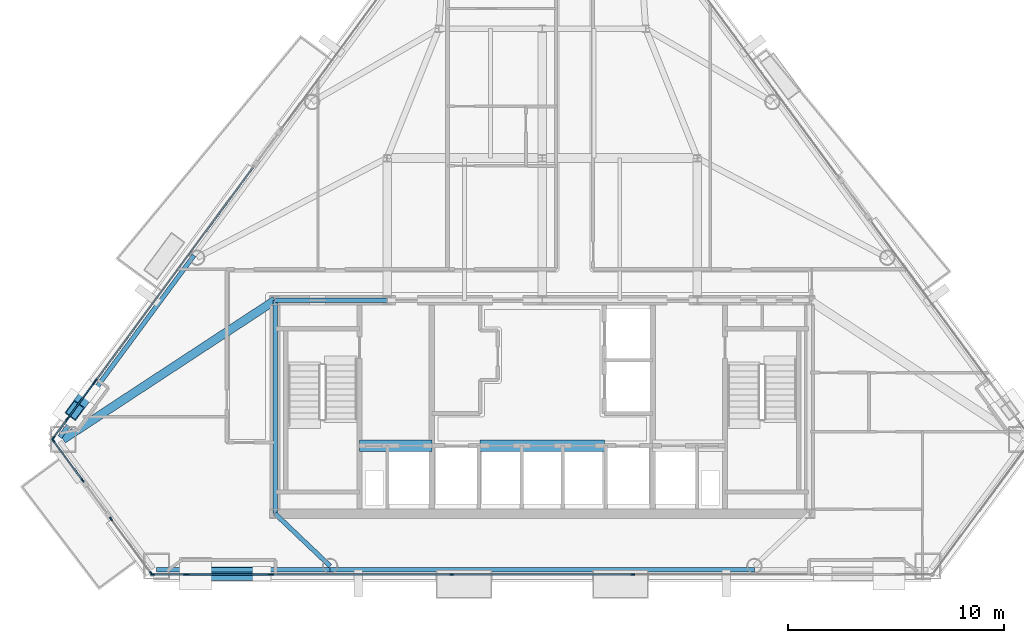
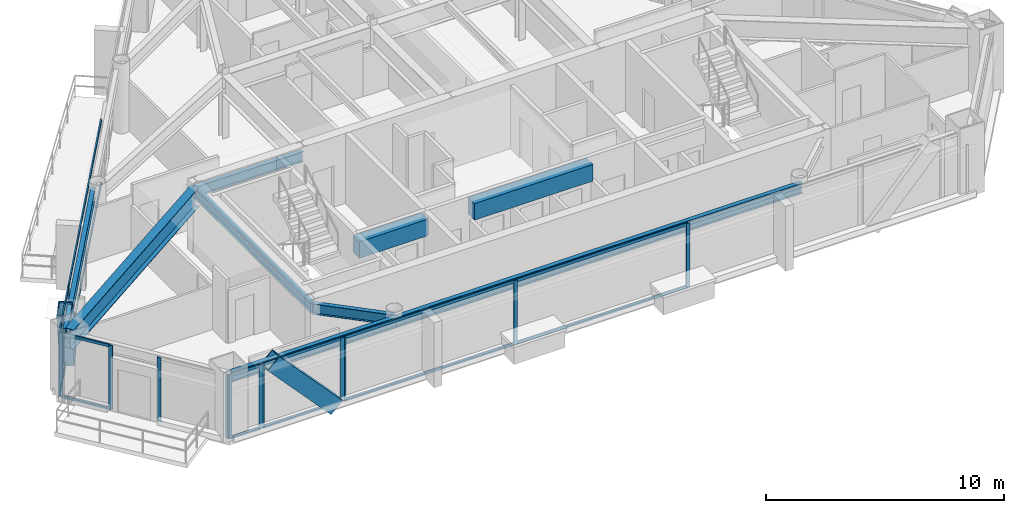
# One storey, part 3 of 12: 34 members, 9 beams, 8 elements without a shape of their own.
"""IFC4 building model written with IfcOpenShell, lengths in metres."""

from ifc_helpers import new_model, si_unit, direction, frame, origin, origin_2d, place, context, subcontext, project, spatial, rectangle, hollow_rectangle, i_section, extrude, material, layer, layer_set, material_profile, profile_set, type_object, element, aggregate, save


model = new_model("IFC4")

# Units and contexts
model_context = context("Model", 3, precision=1e-05, world=origin(), true_north=direction((0.0, 1.0)))
body_context = subcontext(model_context, "Body", "Model", "MODEL_VIEW")
ifc_project = project(units=[si_unit("LENGTHUNIT", "METRE"), si_unit("AREAUNIT", "SQUARE_METRE"), si_unit("VOLUMEUNIT", "CUBIC_METRE"), si_unit("PLANEANGLEUNIT", "RADIAN"), si_unit("MASSUNIT", "GRAM", prefix="KILO")], contexts=[model_context])

# Site, building, storey
site_placement = place(None, origin())
site = spatial("IfcSite", under=ifc_project, at=site_placement, CompositionType="ELEMENT")
building_placement = place(site_placement, origin())
building = spatial("IfcBuilding", under=site, at=building_placement, Name="Talgorran Terracotta Tower", CompositionType="ELEMENT")
storey_placement = place(building_placement, frame((0.0, 0.0, 165.300048828125)))
storey = spatial("IfcBuildingStorey", under=building, at=storey_placement, Name="L43", CompositionType="ELEMENT", Elevation=165.300048828125)

# Beams
ifc_material_1 = material(Name="Steel Grade 350 (350L0)", Category="steel")
ifc_material_profile_1 = material_profile(ifc_material_1, i_section(OverallWidth=0.39990234375, OverallDepth=1.0, WebThickness=0.01611328125, FlangeThickness=0.031005859375, at=origin_2d()), Name="1000WB296")
ifc_profile_set_1 = profile_set([ifc_material_profile_1], Name="Steel Grade 350 (350L0)")
beam_type_1 = type_object("IfcBeamType", Name="BM_1000WB296", PredefinedType="BEAM", material=ifc_profile_set_1)
beam_1_placement = place(storey_placement, frame((-12.39990234375, -4.199951171875, 2.780029296875), z_axis=(-0.836013696093, -0.548708574696, 0.0), x_axis=(0.548708574696, -0.836013696093, 0.0)))
element("IfcBeam", 1, at=beam_1_placement, inside=storey, type_object=beam_type_1, Name="L43 Floor Girder G17", PredefinedType="BEAM", context=body_context, shape_type="SweptSolid", body=[
    extrude(i_section(OverallWidth=0.39990234375, OverallDepth=1.0, WebThickness=0.01611328125, FlangeThickness=0.031005859375, at=origin_2d()), origin(), (0.0, 0.0, 1.0), 11.76318359375),
])
ifc_material_2 = material(Name="Concrete C50/60", Category="concrete")
ifc_material_profile_2 = material_profile(ifc_material_2, rectangle(XDim=0.550048828125, YDim=0.85009765625, at=origin_2d()), Name="RCCB550X850")
ifc_profile_set_2 = profile_set([ifc_material_profile_2], Name="Concrete C50/60")
beam_type_2 = type_object("IfcBeamType", Name="BM_CB_550X850", PredefinedType="LINTEL", material=ifc_profile_set_2)
beam_2_placement = place(storey_placement, frame((-8.47998046875, -10.949951171875, 2.85498046875), z_axis=(1.0, 0.0, 0.0), x_axis=(0.0, 1.0, 0.0)))
element("IfcBeam", 2, at=beam_2_placement, inside=storey, type_object=beam_type_2, Name="L43 Core Shear-Wall Coupling Beam CB1", PredefinedType="LINTEL", context=body_context, shape_type="SweptSolid", body=[
    extrude(rectangle(XDim=0.550048828125, YDim=0.85009765625, at=origin_2d()), origin(), (0.0, 0.0, 1.0), 3.35986328125),
])
beam_3_placement = place(storey_placement, frame((-2.8798828125, -10.949951171875, 2.85498046875), z_axis=(1.0, 0.0, 0.0), x_axis=(0.0, 1.0, 0.0)))
element("IfcBeam", 3, at=beam_3_placement, inside=storey, type_object=beam_type_2, Name="L43 Core Shear-Wall Coupling Beam CB2", PredefinedType="LINTEL", context=body_context, shape_type="SweptSolid", body=[
    extrude(rectangle(XDim=0.550048828125, YDim=0.85009765625, at=origin_2d()), origin(), (0.0, 0.0, 1.0), 5.759765625),
])
ifc_material_3 = material(Name="Steel S355 (300PLUS)", Category="steel")
ifc_material_profile_3 = material_profile(ifc_material_3, i_section(OverallWidth=0.209228515625, OverallDepth=0.532958984375, WebThickness=0.01025390625, FlangeThickness=0.015625, at=origin_2d()), Name="530UB92.4")
ifc_profile_set_3 = profile_set([ifc_material_profile_3], Name="Steel S355 (300PLUS)")
beam_type_3 = type_object("IfcBeamType", Name="BM_SP_530UB92", PredefinedType="SPANDREL", material=ifc_profile_set_3)
beam_4_placement = place(storey_placement, frame((-17.898193359375, -16.7099609375, 3.013427734375), z_axis=(1.0, 0.0, 0.0), x_axis=(0.0, 1.0, 0.0)))
element("IfcBeam", 4, at=beam_4_placement, inside=storey, type_object=beam_type_3, Name="L43 Perimeter Spandrel Beam MC2-FC1", PredefinedType="SPANDREL", context=body_context, shape_type="SweptSolid", body=[
    extrude(i_section(OverallWidth=0.209228515625, OverallDepth=0.532958984375, WebThickness=0.01025390625, FlangeThickness=0.015625, at=origin_2d()), origin(), (0.0, 0.0, 1.0), 8.05419921875),
])
beam_5_placement = place(storey_placement, frame((-9.843994140625, -16.7099609375, 3.013427734375), z_axis=(1.0, 0.0, 0.0), x_axis=(0.0, 1.0, 0.0)))
element("IfcBeam", 5, at=beam_5_placement, inside=storey, type_object=beam_type_3, Name="L43 Perimeter Spandrel Beam FC1-FC2", PredefinedType="SPANDREL", context=body_context, shape_type="SweptSolid", body=[
    extrude(i_section(OverallWidth=0.209228515625, OverallDepth=0.532958984375, WebThickness=0.01025390625, FlangeThickness=0.015625, at=origin_2d()), origin(), (0.0, 0.0, 1.0), 19.68798828125),
])
beam_6_placement = place(storey_placement, frame((-16.156982421875, -2.116455078125, 3.013427734375), z_axis=(-0.593786218479, -0.804622847516, 0.0), x_axis=(0.804622847516, -0.593786218479, 0.0)))
element("IfcBeam", 6, at=beam_6_placement, inside=storey, type_object=beam_type_3, Name="L43 Perimeter Spandrel Beam FC6-MC1", PredefinedType="SPANDREL", context=body_context, shape_type="SweptSolid", body=[
    extrude(i_section(OverallWidth=0.209228515625, OverallDepth=0.532958984375, WebThickness=0.01025390625, FlangeThickness=0.015625, at=origin_2d()), origin(), (0.0, 0.0, 1.0), 10.478271484375),
])
beam_7_placement = place(storey_placement, frame((-9.843994140625, -16.530029296875, 3.013427734375), z_axis=(-0.724741849636, 0.689020501426, 0.0), x_axis=(-0.689020501426, -0.724741849636, 0.0)))
element("IfcBeam", 7, at=beam_7_placement, inside=storey, type_object=beam_type_3, Name="L43 South-West Core Tie Beam", PredefinedType="SPANDREL", context=body_context, shape_type="SweptSolid", body=[
    extrude(i_section(OverallWidth=0.209228515625, OverallDepth=0.532958984375, WebThickness=0.01025390625, FlangeThickness=0.015625, at=origin_2d()), origin(), (0.0, 0.0, 1.0), 3.526611328125),
])
beam_8_placement = place(storey_placement, frame((-12.39990234375, -14.10009765625, 3.013427734375), z_axis=(0.0, 1.0, 0.0), x_axis=(-1.0, 0.0, 0.0)))
element("IfcBeam", 8, at=beam_8_placement, inside=storey, type_object=beam_type_3, Name="L43 Core Frame Beam CFW", PredefinedType="SPANDREL", context=body_context, shape_type="SweptSolid", body=[
    extrude(i_section(OverallWidth=0.209228515625, OverallDepth=0.532958984375, WebThickness=0.01025390625, FlangeThickness=0.015625, at=origin_2d()), origin(), (0.0, 0.0, 1.0), 9.900146484375),
])
beam_9_placement = place(storey_placement, frame((-12.39990234375, -4.199951171875, 3.013427734375), z_axis=(1.0, 0.0, 0.0), x_axis=(0.0, 1.0, 0.0)))
element("IfcBeam", 9, at=beam_9_placement, inside=storey, type_object=beam_type_3, Name="L43 Core Frame Beam CFN1", PredefinedType="SPANDREL", context=body_context, shape_type="SweptSolid", body=[
    extrude(i_section(OverallWidth=0.209228515625, OverallDepth=0.532958984375, WebThickness=0.01025390625, FlangeThickness=0.015625, at=origin_2d()), origin(), (0.0, 0.0, 1.0), 5.199951171875),
])

# Members
ifc_material_profile_4 = material_profile(ifc_material_1, hollow_rectangle(XDim=0.6201171875, YDim=0.780029296875, WallThickness=0.0419921875, at=origin_2d()), Name="WBOX780X620X42")
ifc_profile_set_4 = profile_set([ifc_material_profile_4], Name="Steel Grade 350 (350L0)")
member_type_1 = type_object("IfcMemberType", Name="MB_MEGA_780", PredefinedType="BRACE", material=ifc_profile_set_4)
member_1_placement = place(storey_placement, frame((-13.017578125, -16.889892578125, -0.025146484375), z_axis=(-0.678257727161, 0.0, 0.73482409837), x_axis=(0.0, -1.0, 0.0)))
element("IfcMember", 10, at=member_1_placement, inside=storey, type_object=member_type_1, Name="L43 Exterior Face Mega-Brace MB-2 (SWF)", PredefinedType="BRACE", context=body_context, shape_type="SweptSolid", body=[
    extrude(hollow_rectangle(XDim=0.6201171875, YDim=0.780029296875, WallThickness=0.0419921875, at=origin_2d()), origin(), (0.0, 0.0, 1.0), 4.53173828125),
])
member_2_placement = place(storey_placement, frame((-21.021484375, -8.4052734375, -0.025146484375), z_axis=(-0.1899778131, -0.257355684657, 0.947457905189), x_axis=(0.804537023237, -0.593902498935, 0.0)))
element("IfcMember", 11, at=member_2_placement, inside=storey, type_object=member_type_1, Name="L43 Exterior Face Mega-Brace MB-2 (NWL)", PredefinedType="BRACE", context=body_context, shape_type="SweptSolid", body=[
    extrude(hollow_rectangle(XDim=0.6201171875, YDim=0.780029296875, WallThickness=0.0419921875, at=origin_2d()), origin(), (0.0, 0.0, 1.0), 3.5146484375),
])

# Curtain wall, members
ifc_material_4 = material(Name="Unitised Low-E Double Glazing", Category="glass")
ifc_layer = layer(ifc_material_4, 0.199951171875, Name="CW_SYS2_RES_LOW")
ifc_layer_set = layer_set([ifc_layer], Name="Unitised Low-E Double Glazing")
curtain_wall_type = type_object("IfcCurtainWallType", Name="CW_SYS2_RES_LOW", PredefinedType="NOTDEFINED", material=ifc_layer_set)
curtain_wall_1_placement = place(storey_placement, origin())
curtain_wall_1 = element("IfcCurtainWall", 12, at=curtain_wall_1_placement, inside=storey, type_object=curtain_wall_type, Name="CW-L43-F10", PredefinedType="NOTDEFINED")
ifc_material_5 = material(Name="Architectural Aluminium 6063-T6", Category="aluminium")
ifc_material_profile_5 = material_profile(ifc_material_5, rectangle(XDim=0.06494140625, YDim=0.18505859375, at=origin_2d()), Name="CWM65X185")
ifc_profile_set_5 = profile_set([ifc_material_profile_5], Name="Architectural Aluminium 6063-T6")
member_type_2 = type_object("IfcMemberType", Name="MUL_65X185", PredefinedType="MULLION", material=ifc_profile_set_5)
member_3_placement = place(storey_placement, frame((-22.688232421875, -10.712890625, 0.0), z_axis=(0.0, 0.0, 1.0), x_axis=(0.804619011148, 0.593791416997, 0.0)))
member_3 = element("IfcMember", 13, at=member_3_placement, type_object=member_type_2, Name="CW-L43-10 mullion 1", PredefinedType="MULLION", context=body_context, shape_type="SweptSolid", body=[
    extrude(rectangle(XDim=0.06494140625, YDim=0.18505859375, at=origin_2d()), origin(), (0.0, 0.0, 1.0), 3.280029296875),
])
member_4_placement = place(storey_placement, frame((-21.32861328125, -12.55517578125, 0.0), z_axis=(0.0, 0.0, 1.0), x_axis=(0.804619011148, 0.593791416997, 0.0)))
member_4 = element("IfcMember", 14, at=member_4_placement, type_object=member_type_2, Name="CW-L43-10 mullion 2", PredefinedType="MULLION", context=body_context, shape_type="SweptSolid", body=[
    extrude(rectangle(XDim=0.06494140625, YDim=0.18505859375, at=origin_2d()), origin(), (0.0, 0.0, 1.0), 3.280029296875),
])

curtain_wall_2_placement = place(storey_placement, origin())
curtain_wall_2 = element("IfcCurtainWall", 15, at=curtain_wall_2_placement, inside=storey, type_object=curtain_wall_type, Name="CW-L43-F11", PredefinedType="NOTDEFINED")
member_5_placement = place(storey_placement, frame((-20.007568359375, -14.345458984375, 0.0), z_axis=(0.0, 0.0, 1.0), x_axis=(0.804630520455, 0.593775820957, 0.0)))
member_5 = element("IfcMember", 16, at=member_5_placement, type_object=member_type_2, Name="CW-L43-11 mullion 1", PredefinedType="MULLION", context=body_context, shape_type="SweptSolid", body=[
    extrude(rectangle(XDim=0.06494140625, YDim=0.18505859375, at=origin_2d()), origin(), (0.0, 0.0, 1.0), 3.280029296875),
])
member_6_placement = place(storey_placement, frame((-18.143310546875, -16.87158203125, 0.0), z_axis=(0.0, 0.0, 1.0), x_axis=(0.804630520455, 0.593775820957, 0.0)))
member_6 = element("IfcMember", 17, at=member_6_placement, type_object=member_type_2, Name="CW-L43-11 mullion 2", PredefinedType="MULLION", context=body_context, shape_type="SweptSolid", body=[
    extrude(rectangle(XDim=0.06494140625, YDim=0.18505859375, at=origin_2d()), origin(), (0.0, 0.0, 1.0), 3.280029296875),
])
aggregate(curtain_wall_2, [member_5, member_6])

curtain_wall_3_placement = place(storey_placement, origin())
curtain_wall_3 = element("IfcCurtainWall", 18, at=curtain_wall_3_placement, inside=storey, type_object=curtain_wall_type, Name="CW-L43-F1", PredefinedType="NOTDEFINED")
member_7_placement = place(storey_placement, frame((-18.067626953125, -16.929931640625, 0.0), z_axis=(0.0, 0.0, 1.0), x_axis=(0.0, 1.0, 0.0)))
member_7 = element("IfcMember", 19, at=member_7_placement, type_object=member_type_2, Name="CW-L43-1 mullion 1", PredefinedType="MULLION", context=body_context, shape_type="SweptSolid", body=[
    extrude(rectangle(XDim=0.06494140625, YDim=0.18505859375, at=origin_2d()), origin(), (0.0, 0.0, 1.0), 3.280029296875),
])
member_8_placement = place(storey_placement, frame((-16.565185546875, -16.929931640625, 0.0), z_axis=(0.0, 0.0, 1.0), x_axis=(0.0, 1.0, 0.0)))
member_8 = element("IfcMember", 20, at=member_8_placement, type_object=member_type_2, Name="CW-L43-1 mullion 2", PredefinedType="MULLION", context=body_context, shape_type="SweptSolid", body=[
    extrude(rectangle(XDim=0.06494140625, YDim=0.18505859375, at=origin_2d()), origin(), (0.0, 0.0, 1.0), 3.280029296875),
])

curtain_wall_4_placement = place(storey_placement, origin())
curtain_wall_4 = element("IfcCurtainWall", 21, at=curtain_wall_4_placement, inside=storey, type_object=curtain_wall_type, Name="CW-L43-F1B", PredefinedType="NOTDEFINED")
member_9_placement = place(storey_placement, frame((-16.490234375, -16.929931640625, 0.0), z_axis=(0.0, 0.0, 1.0), x_axis=(0.0, 1.0, 0.0)))
member_9 = element("IfcMember", 22, at=member_9_placement, type_object=member_type_2, Name="CW-L43-1B mullion 1", PredefinedType="MULLION", context=body_context, shape_type="SweptSolid", body=[
    extrude(rectangle(XDim=0.06494140625, YDim=0.18505859375, at=origin_2d()), origin(), (0.0, 0.0, 1.0), 3.280029296875),
])
member_10_placement = place(storey_placement, frame((-12.618408203125, -16.929931640625, 0.0), z_axis=(0.0, 0.0, 1.0), x_axis=(0.0, 1.0, 0.0)))
member_10 = element("IfcMember", 23, at=member_10_placement, type_object=member_type_2, Name="CW-L43-1B mullion 2", PredefinedType="MULLION", context=body_context, shape_type="SweptSolid", body=[
    extrude(rectangle(XDim=0.06494140625, YDim=0.18505859375, at=origin_2d()), origin(), (0.0, 0.0, 1.0), 3.280029296875),
])

curtain_wall_5_placement = place(storey_placement, origin())
curtain_wall_5 = element("IfcCurtainWall", 24, at=curtain_wall_5_placement, inside=storey, type_object=curtain_wall_type, Name="CW-L43-F1C", PredefinedType="NOTDEFINED")
member_11_placement = place(storey_placement, frame((-12.54345703125, -16.929931640625, 0.0), z_axis=(0.0, 0.0, 1.0), x_axis=(0.0, 1.0, 0.0)))
member_11 = element("IfcMember", 25, at=member_11_placement, type_object=member_type_2, Name="CW-L43-1C mullion 1", PredefinedType="MULLION", context=body_context, shape_type="SweptSolid", body=[
    extrude(rectangle(XDim=0.06494140625, YDim=0.18505859375, at=origin_2d()), origin(), (0.0, 0.0, 1.0), 3.280029296875),
])
member_12_placement = place(storey_placement, frame((-4.19189453125, -16.929931640625, 0.0), z_axis=(0.0, 0.0, 1.0), x_axis=(0.0, 1.0, 0.0)))
member_12 = element("IfcMember", 26, at=member_12_placement, type_object=member_type_2, Name="CW-L43-1C mullion 2", PredefinedType="MULLION", context=body_context, shape_type="SweptSolid", body=[
    extrude(rectangle(XDim=0.06494140625, YDim=0.18505859375, at=origin_2d()), origin(), (0.0, 0.0, 1.0), 3.280029296875),
])
member_13_placement = place(storey_placement, frame((4.19189453125, -16.929931640625, 0.0), z_axis=(0.0, 0.0, 1.0), x_axis=(0.0, 1.0, 0.0)))
member_13 = element("IfcMember", 27, at=member_13_placement, type_object=member_type_2, Name="CW-L43-1C mullion 3", PredefinedType="MULLION", context=body_context, shape_type="SweptSolid", body=[
    extrude(rectangle(XDim=0.06494140625, YDim=0.18505859375, at=origin_2d()), origin(), (0.0, 0.0, 1.0), 3.280029296875),
])

# Curtain wall, member
curtain_wall_6_placement = place(storey_placement, origin())
curtain_wall_6 = element("IfcCurtainWall", 28, at=curtain_wall_6_placement, inside=storey, type_object=curtain_wall_type, Name="CW-L43-F61", PredefinedType="NOTDEFINED")
member_14_placement = place(storey_placement, frame((-20.72314453125, -7.933349609375, 0.0), z_axis=(0.0, 0.0, 1.0), x_axis=(0.804621127351, -0.593788549418, 0.0)))
member_14 = element("IfcMember", 29, at=member_14_placement, type_object=member_type_2, Name="CW-L43-61 mullion 2", PredefinedType="MULLION", context=body_context, shape_type="SweptSolid", body=[
    extrude(rectangle(XDim=0.06494140625, YDim=0.18505859375, at=origin_2d()), origin(), (0.0, 0.0, 1.0), 3.280029296875),
])

# Curtain wall, members
curtain_wall_7_placement = place(storey_placement, origin())
curtain_wall_7 = element("IfcCurtainWall", 30, at=curtain_wall_7_placement, inside=storey, type_object=curtain_wall_type, Name="CW-L43-F61B", PredefinedType="NOTDEFINED")
member_15_placement = place(storey_placement, frame((-20.767578125, -7.99365234375, 0.0), z_axis=(0.0, 0.0, 1.0), x_axis=(0.804623738019, -0.593785011781, 0.0)))
member_15 = element("IfcMember", 31, at=member_15_placement, type_object=member_type_2, Name="CW-L43-61B mullion 1", PredefinedType="MULLION", context=body_context, shape_type="SweptSolid", body=[
    extrude(rectangle(XDim=0.06494140625, YDim=0.18505859375, at=origin_2d()), origin(), (0.0, 0.0, 1.0), 3.280029296875),
])
member_16_placement = place(storey_placement, frame((-22.007568359375, -9.673828125, 0.0), z_axis=(0.0, 0.0, 1.0), x_axis=(0.804623738019, -0.593785011781, 0.0)))
member_16 = element("IfcMember", 32, at=member_16_placement, type_object=member_type_2, Name="CW-L43-61B mullion 2", PredefinedType="MULLION", context=body_context, shape_type="SweptSolid", body=[
    extrude(rectangle(XDim=0.06494140625, YDim=0.18505859375, at=origin_2d()), origin(), (0.0, 0.0, 1.0), 3.280029296875),
])

curtain_wall_8_placement = place(storey_placement, origin())
curtain_wall_8 = element("IfcCurtainWall", 33, at=curtain_wall_8_placement, inside=storey, type_object=curtain_wall_type, Name="CW-L43-F61C", PredefinedType="NOTDEFINED")
member_17_placement = place(storey_placement, frame((-22.052001953125, -9.734375, 0.0), z_axis=(0.0, 0.0, 1.0), x_axis=(0.804602113217, -0.593814313912, 0.0)))
member_17 = element("IfcMember", 34, at=member_17_placement, type_object=member_type_2, Name="CW-L43-61C mullion 1", PredefinedType="MULLION", context=body_context, shape_type="SweptSolid", body=[
    extrude(rectangle(XDim=0.06494140625, YDim=0.18505859375, at=origin_2d()), origin(), (0.0, 0.0, 1.0), 3.280029296875),
])
member_18_placement = place(storey_placement, frame((-22.688232421875, -10.59619140625, 0.0), z_axis=(0.0, 0.0, 1.0), x_axis=(0.804602113217, -0.593814313912, 0.0)))
member_18 = element("IfcMember", 35, at=member_18_placement, type_object=member_type_2, Name="CW-L43-61C mullion 2", PredefinedType="MULLION", context=body_context, shape_type="SweptSolid", body=[
    extrude(rectangle(XDim=0.06494140625, YDim=0.18505859375, at=origin_2d()), origin(), (0.0, 0.0, 1.0), 3.280029296875),
])

# Member
ifc_material_profile_6 = material_profile(ifc_material_5, rectangle(XDim=0.06494140625, YDim=0.14990234375, at=origin_2d()), Name="CWT65X150")
ifc_profile_set_6 = profile_set([ifc_material_profile_6], Name="Architectural Aluminium 6063-T6")
member_type_3 = type_object("IfcMemberType", Name="TRN_65X150", PredefinedType="USERDEFINED", material=ifc_profile_set_6)
member_19_placement = place(storey_placement, frame((-22.6689453125, -10.739013671875, 0.032470703125), z_axis=(0.593801553627, -0.804611530436, 0.0), x_axis=(0.804611530436, 0.593801553627, 0.0)))
member_19 = element("IfcMember", 36, at=member_19_placement, type_object=member_type_3, Name="CW-L43-10 transom 1.1", ObjectType="TRANSOM", PredefinedType="USERDEFINED", context=body_context, shape_type="SweptSolid", body=[
    extrude(rectangle(XDim=0.06494140625, YDim=0.14990234375, at=origin_2d()), origin(), (0.0, 0.0, 1.0), 2.224609375),
])

member_20_placement = place(storey_placement, frame((-22.6689453125, -10.739013671875, 3.24755859375), z_axis=(0.593801553627, -0.804611530436, 0.0), x_axis=(0.804611530436, 0.593801553627, 0.0)))
member_20 = element("IfcMember", 37, at=member_20_placement, type_object=member_type_3, Name="CW-L43-10 transom 1.2", ObjectType="TRANSOM", PredefinedType="USERDEFINED", context=body_context, shape_type="SweptSolid", body=[
    extrude(rectangle(XDim=0.06494140625, YDim=0.14990234375, at=origin_2d()), origin(), (0.0, 0.0, 1.0), 2.224609375),
])

aggregate(curtain_wall_1, [member_3, member_4, member_19, member_20])

member_21_placement = place(storey_placement, frame((-18.03515625, -16.929931640625, 0.032470703125), z_axis=(1.0, 0.0, 0.0), x_axis=(0.0, 1.0, 0.0)))
member_21 = element("IfcMember", 38, at=member_21_placement, type_object=member_type_3, Name="CW-L43-1 transom 1.1", ObjectType="TRANSOM", PredefinedType="USERDEFINED", context=body_context, shape_type="SweptSolid", body=[
    extrude(rectangle(XDim=0.06494140625, YDim=0.14990234375, at=origin_2d()), origin(), (0.0, 0.0, 1.0), 1.437255859375),
])

member_22_placement = place(storey_placement, frame((-18.03515625, -16.929931640625, 3.24755859375), z_axis=(1.0, 0.0, 0.0), x_axis=(0.0, 1.0, 0.0)))
member_22 = element("IfcMember", 39, at=member_22_placement, type_object=member_type_3, Name="CW-L43-1 transom 1.2", ObjectType="TRANSOM", PredefinedType="USERDEFINED", context=body_context, shape_type="SweptSolid", body=[
    extrude(rectangle(XDim=0.06494140625, YDim=0.14990234375, at=origin_2d()), origin(), (0.0, 0.0, 1.0), 1.437255859375),
])

aggregate(curtain_wall_3, [member_7, member_8, member_21, member_22])

member_23_placement = place(storey_placement, frame((-16.457763671875, -16.929931640625, 0.032470703125), z_axis=(1.0, 0.0, 0.0), x_axis=(0.0, 1.0, 0.0)))
member_23 = element("IfcMember", 40, at=member_23_placement, type_object=member_type_3, Name="CW-L43-1B transom 1.1", ObjectType="TRANSOM", PredefinedType="USERDEFINED", context=body_context, shape_type="SweptSolid", body=[
    extrude(rectangle(XDim=0.06494140625, YDim=0.14990234375, at=origin_2d()), origin(), (0.0, 0.0, 1.0), 3.806884765625),
])

member_24_placement = place(storey_placement, frame((-16.457763671875, -16.929931640625, 3.24755859375), z_axis=(1.0, 0.0, 0.0), x_axis=(0.0, 1.0, 0.0)))
member_24 = element("IfcMember", 41, at=member_24_placement, type_object=member_type_3, Name="CW-L43-1B transom 1.2", ObjectType="TRANSOM", PredefinedType="USERDEFINED", context=body_context, shape_type="SweptSolid", body=[
    extrude(rectangle(XDim=0.06494140625, YDim=0.14990234375, at=origin_2d()), origin(), (0.0, 0.0, 1.0), 3.806884765625),
])

aggregate(curtain_wall_4, [member_9, member_10, member_23, member_24])

member_25_placement = place(storey_placement, frame((-12.510986328125, -16.929931640625, 0.032470703125), z_axis=(1.0, 0.0, 0.0), x_axis=(0.0, 1.0, 0.0)))
member_25 = element("IfcMember", 42, at=member_25_placement, type_object=member_type_3, Name="CW-L43-1C transom 1.1", ObjectType="TRANSOM", PredefinedType="USERDEFINED", context=body_context, shape_type="SweptSolid", body=[
    extrude(rectangle(XDim=0.06494140625, YDim=0.14990234375, at=origin_2d()), origin(), (0.0, 0.0, 1.0), 8.286376953125),
])

member_26_placement = place(storey_placement, frame((-12.510986328125, -16.929931640625, 3.24755859375), z_axis=(1.0, 0.0, 0.0), x_axis=(0.0, 1.0, 0.0)))
member_26 = element("IfcMember", 43, at=member_26_placement, type_object=member_type_3, Name="CW-L43-1C transom 1.2", ObjectType="TRANSOM", PredefinedType="USERDEFINED", context=body_context, shape_type="SweptSolid", body=[
    extrude(rectangle(XDim=0.06494140625, YDim=0.14990234375, at=origin_2d()), origin(), (0.0, 0.0, 1.0), 8.286376953125),
])

member_27_placement = place(storey_placement, frame((-4.159423828125, -16.929931640625, 0.032470703125), z_axis=(1.0, 0.0, 0.0), x_axis=(0.0, 1.0, 0.0)))
member_27 = element("IfcMember", 44, at=member_27_placement, type_object=member_type_3, Name="CW-L43-1C transom 2.1", ObjectType="TRANSOM", PredefinedType="USERDEFINED", context=body_context, shape_type="SweptSolid", body=[
    extrude(rectangle(XDim=0.06494140625, YDim=0.14990234375, at=origin_2d()), origin(), (0.0, 0.0, 1.0), 8.31884765625),
])

member_28_placement = place(storey_placement, frame((-4.159423828125, -16.929931640625, 3.24755859375), z_axis=(1.0, 0.0, 0.0), x_axis=(0.0, 1.0, 0.0)))
member_28 = element("IfcMember", 45, at=member_28_placement, type_object=member_type_3, Name="CW-L43-1C transom 2.2", ObjectType="TRANSOM", PredefinedType="USERDEFINED", context=body_context, shape_type="SweptSolid", body=[
    extrude(rectangle(XDim=0.06494140625, YDim=0.14990234375, at=origin_2d()), origin(), (0.0, 0.0, 1.0), 8.31884765625),
])

aggregate(curtain_wall_5, [member_11, member_12, member_13, member_25, member_26, member_27, member_28])

member_29_placement = place(storey_placement, frame((-13.43017578125, 1.948974609375, 0.032470703125), z_axis=(-0.593792393679, -0.804618290377, 0.0), x_axis=(0.804618290377, -0.593792393679, 0.0)))
member_29 = element("IfcMember", 46, at=member_29_placement, type_object=member_type_3, Name="CW-L43-61 transom 1.1", ObjectType="TRANSOM", PredefinedType="USERDEFINED", context=body_context, shape_type="SweptSolid", body=[
    extrude(rectangle(XDim=0.06494140625, YDim=0.14990234375, at=origin_2d()), origin(), (0.0, 0.0, 1.0), 12.24951171875),
])

member_30_placement = place(storey_placement, frame((-13.43017578125, 1.948974609375, 3.24755859375), z_axis=(-0.593792393679, -0.804618290377, 0.0), x_axis=(0.804618290377, -0.593792393679, 0.0)))
member_30 = element("IfcMember", 47, at=member_30_placement, type_object=member_type_3, Name="CW-L43-61 transom 1.2", ObjectType="TRANSOM", PredefinedType="USERDEFINED", context=body_context, shape_type="SweptSolid", body=[
    extrude(rectangle(XDim=0.06494140625, YDim=0.14990234375, at=origin_2d()), origin(), (0.0, 0.0, 1.0), 12.24951171875),
])

aggregate(curtain_wall_6, [member_14, member_29, member_30])

member_31_placement = place(storey_placement, frame((-20.786865234375, -8.019775390625, 0.032470703125), z_axis=(-0.593803940269, -0.804609769094, 0.0), x_axis=(0.804609769094, -0.593803940269, 0.0)))
member_31 = element("IfcMember", 48, at=member_31_placement, type_object=member_type_3, Name="CW-L43-61B transom 1.1", ObjectType="TRANSOM", PredefinedType="USERDEFINED", context=body_context, shape_type="SweptSolid", body=[
    extrude(rectangle(XDim=0.06494140625, YDim=0.14990234375, at=origin_2d()), origin(), (0.0, 0.0, 1.0), 2.023193359375),
])

member_32_placement = place(storey_placement, frame((-20.786865234375, -8.019775390625, 3.24755859375), z_axis=(-0.593803940269, -0.804609769094, 0.0), x_axis=(0.804609769094, -0.593803940269, 0.0)))
member_32 = element("IfcMember", 49, at=member_32_placement, type_object=member_type_3, Name="CW-L43-61B transom 1.2", ObjectType="TRANSOM", PredefinedType="USERDEFINED", context=body_context, shape_type="SweptSolid", body=[
    extrude(rectangle(XDim=0.06494140625, YDim=0.14990234375, at=origin_2d()), origin(), (0.0, 0.0, 1.0), 2.023193359375),
])

aggregate(curtain_wall_7, [member_15, member_16, member_31, member_32])

member_33_placement = place(storey_placement, frame((-22.0712890625, -9.760498046875, 0.032470703125), z_axis=(-0.593927082715, -0.804518875116, 0.0), x_axis=(0.804518875116, -0.593927082715, 0.0)))
member_33 = element("IfcMember", 50, at=member_33_placement, type_object=member_type_3, Name="CW-L43-61C transom 1.1", ObjectType="TRANSOM", PredefinedType="USERDEFINED", context=body_context, shape_type="SweptSolid", body=[
    extrude(rectangle(XDim=0.06494140625, YDim=0.14990234375, at=origin_2d()), origin(), (0.0, 0.0, 1.0), 1.00634765625),
])

member_34_placement = place(storey_placement, frame((-22.0712890625, -9.760498046875, 3.24755859375), z_axis=(-0.593927082715, -0.804518875116, 0.0), x_axis=(0.804518875116, -0.593927082715, 0.0)))
member_34 = element("IfcMember", 51, at=member_34_placement, type_object=member_type_3, Name="CW-L43-61C transom 1.2", ObjectType="TRANSOM", PredefinedType="USERDEFINED", context=body_context, shape_type="SweptSolid", body=[
    extrude(rectangle(XDim=0.06494140625, YDim=0.14990234375, at=origin_2d()), origin(), (0.0, 0.0, 1.0), 1.00634765625),
])

aggregate(curtain_wall_8, [member_17, member_18, member_33, member_34])

save(model, "model.ifc")
